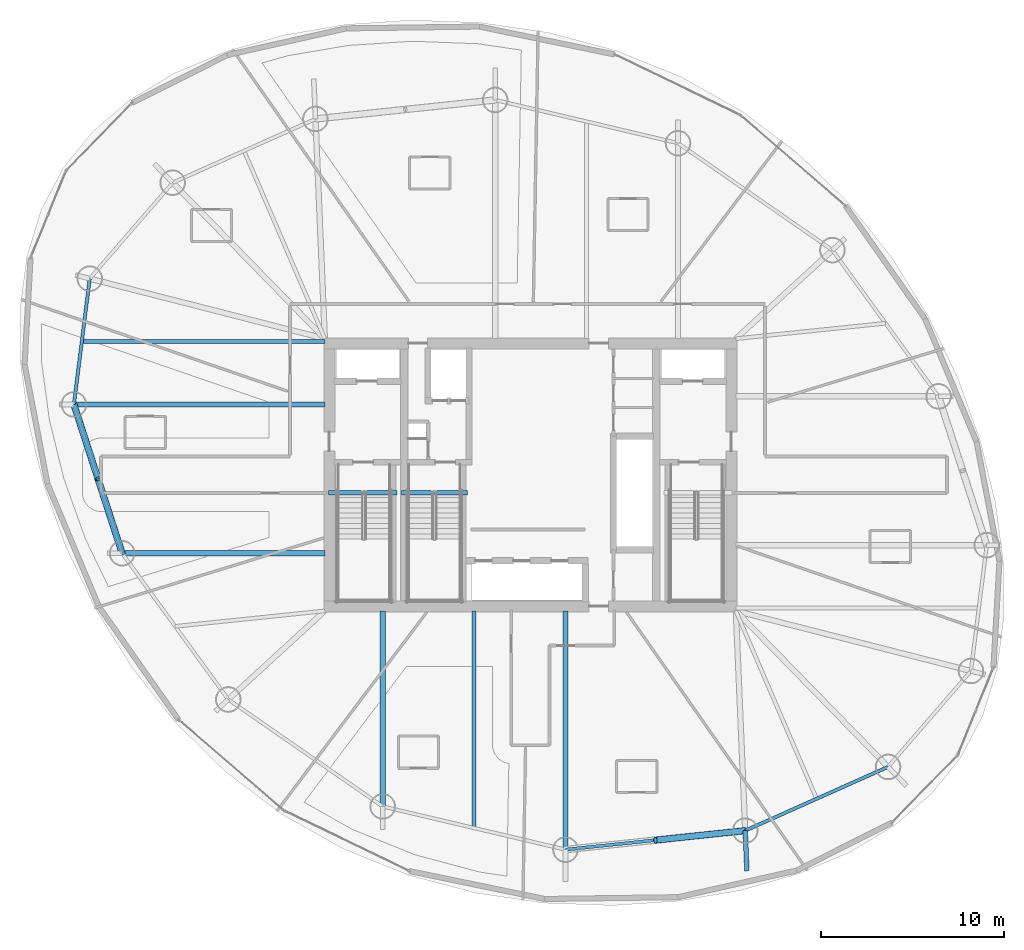
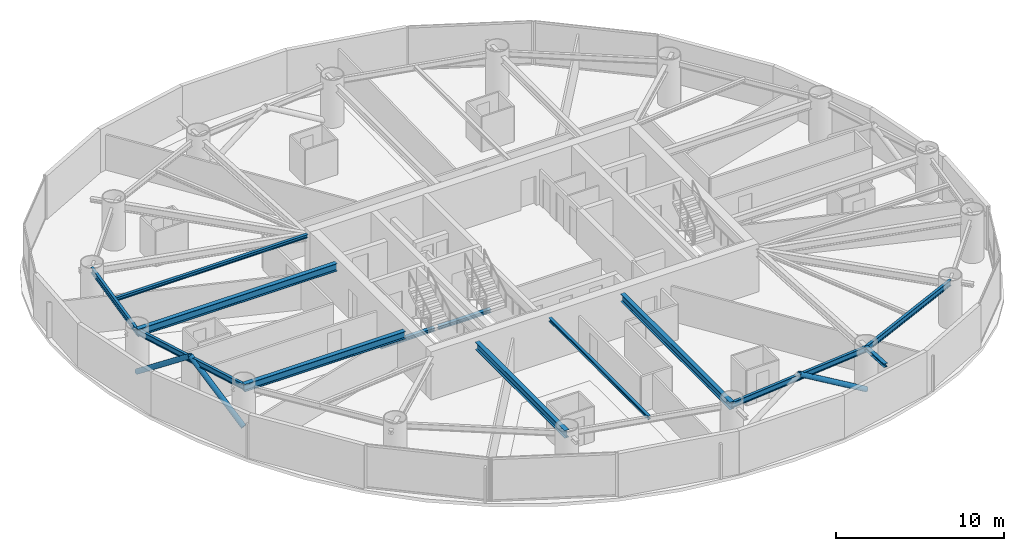
# One storey, part 5 of 21: 13 beams, 3 members.
"""IFC4 building model written with IfcOpenShell, lengths in metres."""

from ifc_helpers import new_model, si_unit, direction, frame, origin, origin_2d, place, context, subcontext, project, spatial, hollow_circle, i_section, extrude, material, material_profile, profile_set, type_object, element, save


model = new_model("IFC4")

# Units and contexts
model_context = context("Model", 3, precision=1e-05, world=origin(), true_north=direction((0.0, 1.0)))
body_context = subcontext(model_context, "Body", "Model", "MODEL_VIEW")
ifc_project = project(units=[si_unit("LENGTHUNIT", "METRE"), si_unit("AREAUNIT", "SQUARE_METRE"), si_unit("VOLUMEUNIT", "CUBIC_METRE"), si_unit("PLANEANGLEUNIT", "RADIAN"), si_unit("MASSUNIT", "GRAM", prefix="KILO")], contexts=[model_context])

# Site, building, storey
site_placement = place(None, origin())
site = spatial("IfcSite", under=ifc_project, at=site_placement, CompositionType="ELEMENT")
building_placement = place(site_placement, origin())
building = spatial("IfcBuilding", under=site, at=building_placement, Name="Bramvorn Convention Spire", CompositionType="ELEMENT")
storey_placement = place(building_placement, frame((0.0, 0.0, 162.300048828125)))
storey = spatial("IfcBuildingStorey", under=building, at=storey_placement, Name="L41", CompositionType="ELEMENT", Elevation=162.300048828125)

# Beams
ifc_material = material(Name="Steel CSA G40.21 Grade 350 (350W)", Category="steel")
ifc_material_profile_1 = material_profile(ifc_material, i_section(OverallWidth=0.201904296875, OverallDepth=0.2470703125, WebThickness=0.00732421875, FlangeThickness=0.010986328125, FilletRadius=0.011962890625, at=origin_2d()))
ifc_profile_set_1 = profile_set([ifc_material_profile_1], Name="Steel CSA G40.21 Grade 350 (350W) - W250X49")
beam_type_1 = type_object("IfcBeamType", Name="BM-W250X49", PredefinedType="JOIST", material=ifc_profile_set_1)
beam_1_placement = place(storey_placement, frame((26.75, 33.294921875, 3.0263671875), z_axis=(-1.0, 0.0, 0.0), x_axis=(0.0, -1.0, 0.0)))
element("IfcBeam", 1, at=beam_1_placement, inside=storey, type_object=beam_type_1, Name="L41 composite floor joist 09", PredefinedType="JOIST", context=body_context, shape_type="SweptSolid", body=[
    extrude(i_section(OverallWidth=0.201904296875, OverallDepth=0.2470703125, WebThickness=0.00732421875, FlangeThickness=0.010986328125, FilletRadius=0.011962890625, at=origin_2d()), origin(), (0.0, 0.0, 1.0), 13.30078125),
])
beam_2_placement = place(storey_placement, frame((34.920654296875, 18.550048828125, 3.0263671875), z_axis=(0.0, -1.0, 0.0), x_axis=(1.0, 0.0, 0.0)))
element("IfcBeam", 2, at=beam_2_placement, inside=storey, type_object=beam_type_1, Name="L41 composite floor joist 13", PredefinedType="JOIST", context=body_context, shape_type="SweptSolid", body=[
    extrude(i_section(OverallWidth=0.201904296875, OverallDepth=0.2470703125, WebThickness=0.00732421875, FlangeThickness=0.010986328125, FilletRadius=0.011962890625, at=origin_2d()), origin(), (0.0, 0.0, 1.0), 11.8857421875),
])
ifc_material_profile_2 = material_profile(ifc_material, i_section(OverallWidth=0.25390625, OverallDepth=0.2529296875, WebThickness=0.008544921875, FlangeThickness=0.01416015625, FilletRadius=0.011962890625, at=origin_2d()))
ifc_profile_set_2 = profile_set([ifc_material_profile_2], Name="Steel CSA G40.21 Grade 350 (350W) - W250X73")
beam_type_2 = type_object("IfcBeamType", Name="BM-W250X73", PredefinedType="BEAM", material=ifc_profile_set_2)
beam_3_placement = place(storey_placement, frame((49.76171875, 6.521240234375, 3.0234375), z_axis=(0.042535944966, -0.999094937123, 0.0), x_axis=(0.999094937123, 0.042535944966, 0.0)))
element("IfcBeam", 3, at=beam_3_placement, inside=storey, type_object=beam_type_2, Name="L41 slab-edge cantilever tip beam MC15", PredefinedType="BEAM", context=body_context, shape_type="SweptSolid", body=[
    extrude(i_section(OverallWidth=0.25390625, OverallDepth=0.2529296875, WebThickness=0.008544921875, FlangeThickness=0.01416015625, FilletRadius=0.011962890625, at=origin_2d()), origin(), (0.0, 0.0, 1.0), 2.1982421875),
])
beam_4_placement = place(storey_placement, frame((26.949951171875, 25.010009765625, -0.12646484375), z_axis=(1.0, 0.0, 0.0), x_axis=(0.0, 1.0, 0.0)))
element("IfcBeam", 4, at=beam_4_placement, inside=storey, type_object=beam_type_2, Name="L41 ST1 stair arrival header beam", PredefinedType="BEAM", context=body_context, shape_type="SweptSolid", body=[
    extrude(i_section(OverallWidth=0.25390625, OverallDepth=0.2529296875, WebThickness=0.008544921875, FlangeThickness=0.01416015625, FilletRadius=0.011962890625, at=origin_2d()), origin(), (0.0, 0.0, 1.0), 3.739990234375),
])
beam_5_placement = place(storey_placement, frame((30.949951171875, 25.010009765625, -0.12646484375), z_axis=(1.0, 0.0, 0.0), x_axis=(0.0, 1.0, 0.0)))
element("IfcBeam", 5, at=beam_5_placement, inside=storey, type_object=beam_type_2, Name="L41 ST3 stair arrival header beam", PredefinedType="BEAM", context=body_context, shape_type="SweptSolid", body=[
    extrude(i_section(OverallWidth=0.25390625, OverallDepth=0.2529296875, WebThickness=0.008544921875, FlangeThickness=0.01416015625, FilletRadius=0.011962890625, at=origin_2d()), origin(), (0.0, 0.0, 1.0), 3.610107421875),
])
ifc_material_profile_3 = material_profile(ifc_material, i_section(OverallWidth=0.180908203125, OverallDepth=0.4169921875, WebThickness=0.010986328125, FlangeThickness=0.018310546875, FilletRadius=0.01611328125, at=origin_2d()))
ifc_profile_set_3 = profile_set([ifc_material_profile_3], Name="Steel CSA G40.21 Grade 350 (350W) - W410X85")
beam_type_3 = type_object("IfcBeamType", Name="BM-W410X85", PredefinedType="JOIST", material=ifc_profile_set_3)
beam_6_placement = place(storey_placement, frame((13.88232421875, 36.73779296875, 2.94140625), z_axis=(-0.124775053879, -0.992185056292, 0.0), x_axis=(0.992185056292, -0.124775053879, 0.0)))
element("IfcBeam", 6, at=beam_6_placement, inside=storey, type_object=beam_type_3, Name="L41 mega-column ring beam 09", PredefinedType="JOIST", context=body_context, shape_type="SweptSolid", body=[
    extrude(i_section(OverallWidth=0.180908203125, OverallDepth=0.4169921875, WebThickness=0.010986328125, FlangeThickness=0.018310546875, FilletRadius=0.01611328125, at=origin_2d()), origin(), (0.0, 0.0, 1.0), 6.940185546875),
])
beam_7_placement = place(storey_placement, frame((13.016357421875, 29.851806640625, 2.94140625), z_axis=(0.308114853612, -0.951349166701, 0.0), x_axis=(0.951349166701, 0.308114853612, 0.0)))
element("IfcBeam", 7, at=beam_7_placement, inside=storey, type_object=beam_type_3, Name="L41 mega-column ring beam 10", PredefinedType="JOIST", context=body_context, shape_type="SweptSolid", body=[
    extrude(i_section(OverallWidth=0.180908203125, OverallDepth=0.4169921875, WebThickness=0.010986328125, FlangeThickness=0.018310546875, FilletRadius=0.01611328125, at=origin_2d()), origin(), (0.0, 0.0, 1.0), 8.5615234375),
])
beam_8_placement = place(storey_placement, frame((39.924072265625, 5.482666015625, 2.94140625), z_axis=(0.994473491975, 0.104987969596, 0.0), x_axis=(-0.104987969596, 0.994473491975, 0.0)))
element("IfcBeam", 8, at=beam_8_placement, inside=storey, type_object=beam_type_3, Name="L41 mega-column ring beam 14", PredefinedType="JOIST", context=body_context, shape_type="SweptSolid", body=[
    extrude(i_section(OverallWidth=0.180908203125, OverallDepth=0.4169921875, WebThickness=0.010986328125, FlangeThickness=0.018310546875, FilletRadius=0.01611328125, at=origin_2d()), origin(), (0.0, 0.0, 1.0), 9.892333984375),
])
beam_9_placement = place(storey_placement, frame((49.76171875, 6.521240234375, 2.94140625), z_axis=(0.913169534701, 0.407579931908, 0.0), x_axis=(-0.407579931908, 0.913169534701, 0.0)))
element("IfcBeam", 9, at=beam_9_placement, inside=storey, type_object=beam_type_3, Name="L41 mega-column ring beam 15", PredefinedType="JOIST", context=body_context, shape_type="SweptSolid", body=[
    extrude(i_section(OverallWidth=0.180908203125, OverallDepth=0.4169921875, WebThickness=0.010986328125, FlangeThickness=0.018310546875, FilletRadius=0.01611328125, at=origin_2d()), origin(), (0.0, 0.0, 1.0), 8.5615234375),
])
ifc_material_profile_4 = material_profile(ifc_material, i_section(OverallWidth=0.2919921875, OverallDepth=0.551025390625, WebThickness=0.01513671875, FlangeThickness=0.0244140625, FilletRadius=0.01904296875, at=origin_2d()))
ifc_profile_set_4 = profile_set([ifc_material_profile_4], Name="Steel CSA G40.21 Grade 350 (350W) - W530X182")
beam_type_4 = type_object("IfcBeamType", Name="BM-W530X182", PredefinedType="BEAM", material=ifc_profile_set_4)
beam_10_placement = place(storey_placement, frame((26.75, 29.851806640625, 2.87451171875), z_axis=(-1.0, 0.0, 0.0), x_axis=(0.0, -1.0, 0.0)))
element("IfcBeam", 10, at=beam_10_placement, inside=storey, type_object=beam_type_4, Name="L41 radial floor girder MC10", PredefinedType="BEAM", context=body_context, shape_type="SweptSolid", body=[
    extrude(i_section(OverallWidth=0.2919921875, OverallDepth=0.551025390625, WebThickness=0.01513671875, FlangeThickness=0.0244140625, FilletRadius=0.01904296875, at=origin_2d()), origin(), (0.0, 0.0, 1.0), 13.733642578125),
])
beam_11_placement = place(storey_placement, frame((26.75, 21.706787109375, 2.87451171875), z_axis=(-1.0, 0.0, 0.0), x_axis=(0.0, -1.0, 0.0)))
element("IfcBeam", 11, at=beam_11_placement, inside=storey, type_object=beam_type_4, Name="L41 radial floor girder MC11", PredefinedType="BEAM", context=body_context, shape_type="SweptSolid", body=[
    extrude(i_section(OverallWidth=0.2919921875, OverallDepth=0.551025390625, WebThickness=0.01513671875, FlangeThickness=0.0244140625, FilletRadius=0.01904296875, at=origin_2d()), origin(), (0.0, 0.0, 1.0), 11.095703125),
])
beam_12_placement = place(storey_placement, frame((29.917236328125, 18.550048828125, 2.87451171875), z_axis=(0.0, -1.0, 0.0), x_axis=(1.0, 0.0, 0.0)))
element("IfcBeam", 12, at=beam_12_placement, inside=storey, type_object=beam_type_4, Name="L41 radial floor girder MC13", PredefinedType="BEAM", context=body_context, shape_type="SweptSolid", body=[
    extrude(i_section(OverallWidth=0.2919921875, OverallDepth=0.551025390625, WebThickness=0.01513671875, FlangeThickness=0.0244140625, FilletRadius=0.01904296875, at=origin_2d()), origin(), (0.0, 0.0, 1.0), 10.7041015625),
])
beam_13_placement = place(storey_placement, frame((39.924072265625, 18.550048828125, 2.87451171875), z_axis=(0.0, -1.0, 0.0), x_axis=(1.0, 0.0, 0.0)))
element("IfcBeam", 13, at=beam_13_placement, inside=storey, type_object=beam_type_4, Name="L41 radial floor girder MC14", PredefinedType="BEAM", context=body_context, shape_type="SweptSolid", body=[
    extrude(i_section(OverallWidth=0.2919921875, OverallDepth=0.551025390625, WebThickness=0.01513671875, FlangeThickness=0.0244140625, FilletRadius=0.01904296875, at=origin_2d()), origin(), (0.0, 0.0, 1.0), 13.0673828125),
])

# Members
ifc_material_profile_5 = material_profile(ifc_material, hollow_circle(Radius=0.177734375, WallThickness=0.015869140625, at=origin_2d()))
ifc_profile_set_5 = profile_set([ifc_material_profile_5], Name="Steel CSA G40.21 Grade 350 (350W) - CHS356X16")
member_type = type_object("IfcMemberType", Name="MBR-CHS356X16", PredefinedType="BRACE", material=ifc_profile_set_5)
for number, where, z_axis, x_axis, name in (
    (14, (13.016357421875, 29.851806640625, 0.0), (0.248148524905, -0.766265372815, 0.592671652782), (0.951357525158, 0.308089044476, 0.0), "L41 perimeter Gothic lancet brace 10A"),
    (15, (15.654296875, 21.706787109375, 0.0), (-0.248191631927, 0.766256637456, 0.592664896376), (-0.951340807692, -0.308140662068, 0.0), "L41 perimeter Gothic lancet brace 10B"),
):
    element("IfcMember", number, at=place(storey_placement, frame(where, z_axis=z_axis, x_axis=x_axis)), inside=storey, type_object=member_type, Name=name, PredefinedType="BRACE", context=body_context, shape_type="SweptSolid", body=[
        extrude(hollow_circle(Radius=0.177734375, WallThickness=0.015869140625, at=origin_2d()), origin(), (0.0, 0.0, 1.0), 5.314697265625),
    ])
member_placement = place(storey_placement, frame((49.76171875, 6.521240234375, 0.0), z_axis=(-0.838812476473, -0.088556814288, 0.53716973105), x_axis=(0.104990546424, -0.994473219932, 0.0)))
element("IfcMember", 16, at=member_placement, inside=storey, type_object=member_type, Name="L41 perimeter Gothic lancet brace 14B", PredefinedType="BRACE", context=body_context, shape_type="SweptSolid", body=[
    extrude(hollow_circle(Radius=0.177734375, WallThickness=0.015869140625, at=origin_2d()), origin(), (0.0, 0.0, 1.0), 5.86376953125),
])

save(model, "model.ifc")
